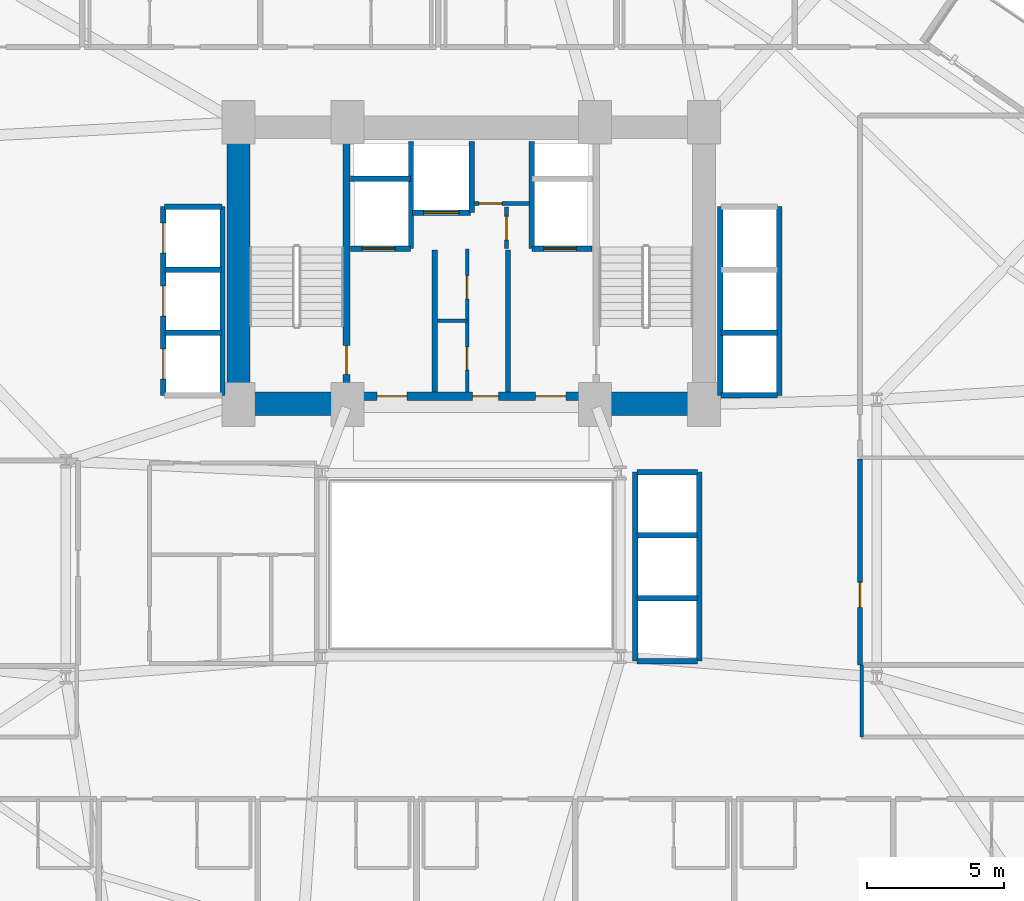
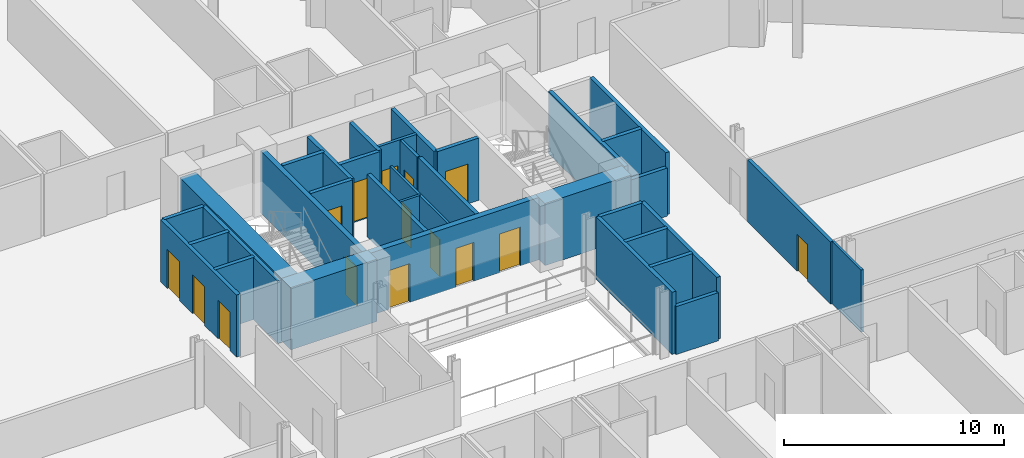
# One storey, part 19 of 25: 35 walls, 15 doors, 15 openings.
"""IFC4 building model written with IfcOpenShell, lengths in metres."""

from ifc_helpers import new_model, si_unit, direction, frame, frame_2d, origin, place, context, subcontext, project, spatial, rectangle, extrude, material, layer, layer_set, type_object, element, fill, save


model = new_model("IFC4")

# Units and contexts
model_context = context("Model", 3, precision=1e-05, world=origin(), true_north=direction((0.0, 1.0)))
body_context = subcontext(model_context, "Body", "Model", "MODEL_VIEW")
ifc_project = project(units=[si_unit("LENGTHUNIT", "METRE"), si_unit("AREAUNIT", "SQUARE_METRE"), si_unit("VOLUMEUNIT", "CUBIC_METRE"), si_unit("PLANEANGLEUNIT", "RADIAN"), si_unit("MASSUNIT", "GRAM", prefix="KILO")], contexts=[model_context])

# Site, building, storey
site_placement = place(None, origin())
site = spatial("IfcSite", under=ifc_project, at=site_placement, CompositionType="ELEMENT")
building_placement = place(site_placement, origin())
building = spatial("IfcBuilding", under=site, at=building_placement, Name="Varnelok Gate Tower", CompositionType="ELEMENT")
storey_placement = place(building_placement, frame((0.0, 0.0, 64.0)))
storey = spatial("IfcBuildingStorey", under=building, at=storey_placement, Name="L15", CompositionType="ELEMENT", Elevation=64.0)

# Wall, opening, door
ifc_material_1 = material(Name="Gypsum Plasterboard Acoustic Partition", Category="gypsum")
ifc_layer_1 = layer(ifc_material_1, 0.179931640625)
ifc_layer_set_1 = layer_set([ifc_layer_1], Name="Gypsum Plasterboard Acoustic Partition")
wall_type_1 = type_object("IfcWallType", Name="PW-CORR-180", PredefinedType="PARTITIONING", material=ifc_layer_set_1)
wall_1_placement = place(storey_placement, frame((53.389892578125, 19.239990234375, 0.0), z_axis=(0.0, 0.0, 1.0), x_axis=(0.0, 1.0, 0.0)))
wall_1 = element("IfcWall", 1, at=wall_1_placement, inside=storey, type_object=wall_type_1, Name="Interior Partition", PredefinedType="PARTITIONING", context=body_context, shape_type="SweptSolid", body=[
    extrude(rectangle(XDim=7.52001953125, YDim=0.179931640625, at=frame_2d((3.760009765625, 0.0))), origin(), (0.0, 0.0, 1.0), 3.449951171875),
])
opening_1_placement = place(wall_1_placement, frame((2.10009765625, 0.0, 0.0)))
opening_1 = element("IfcOpeningElement", 2, at=opening_1_placement, cuts=wall_1, Name="Opening D-I3", PredefinedType="OPENING", context=body_context, shape_type="SweptSolid", body=[
    extrude(rectangle(XDim=0.919921875, YDim=2.050048828125, at=frame_2d((0.4599609375, 1.02490234375))), frame((0.0, 0.099853515625, 0.0), z_axis=(0.0, -1.0, 0.0), x_axis=(1.0, 0.0, 0.0)), (0.0, 0.0, 1.0), 0.199951171875),
])
ifc_material_2 = material(Name="Engineered Hardwood Timber", Category="wood")
door_type_1 = type_object("IfcDoorType", Name="DR-INT-920", OperationType="NOTDEFINED", PredefinedType="DOOR", material=ifc_material_2)
door_1_placement = place(opening_1_placement, origin())
door_1 = element("IfcDoor", 3, at=door_1_placement, inside=storey, type_object=door_type_1, Name="L15 East Studio Door", OperationType="SINGLE_SWING_RIGHT", OverallHeight=2.050048828125, OverallWidth=0.919921875, PredefinedType="DOOR", context=body_context, shape_type="SweptSolid", body=[
    extrude(rectangle(XDim=0.919921875, YDim=2.050048828125, at=frame_2d((0.4599609375, 1.02490234375))), frame((0.0, 0.02490234375, 0.0), z_axis=(0.0, -1.0, 0.0), x_axis=(1.0, 0.0, 0.0)), (0.0, 0.0, 1.0), 0.050048828125),
])
fill(opening_1, door_1)

# Walls
ifc_layer_2 = layer(ifc_material_1, 0.125)
ifc_layer_set_2 = layer_set([ifc_layer_2], Name="Gypsum Plasterboard Acoustic Partition")
wall_type_2 = type_object("IfcWallType", Name="PW-PART-125", PredefinedType="PARTITIONING", material=ifc_layer_set_2)
wall_2_placement = place(storey_placement, frame((53.449951171875, 16.610107421875, 0.0), z_axis=(0.0, 0.0, 1.0), x_axis=(0.0, 1.0, 0.0)))
element("IfcWall", 4, at=wall_2_placement, inside=storey, type_object=wall_type_2, Name="Interior Partition", PredefinedType="PARTITIONING", context=body_context, shape_type="SweptSolid", body=[
    extrude(rectangle(XDim=2.6298828125, YDim=0.125, at=frame_2d((1.31494140625, 0.0))), origin(), (0.0, 0.0, 1.0), 3.449951171875),
])
wall_3_placement = place(storey_placement, frame((37.9599609375, 31.800048828125, 0.0), z_axis=(0.0, 0.0, 1.0), x_axis=(1.0, 0.0, 0.0)))
element("IfcWall", 5, at=wall_3_placement, inside=storey, type_object=wall_type_2, Name="Interior Partition", PredefinedType="PARTITIONING", context=body_context, shape_type="SweptSolid", body=[
    extrude(rectangle(XDim=1.090087890625, YDim=0.125, at=frame_2d((0.544921875, 0.0))), origin(), (0.0, 0.0, 1.0), 3.449951171875),
])

# Wall, openings, doors
wall_4_placement = place(storey_placement, frame((39.050048828125, 29.199951171875, 0.0), z_axis=(0.0, 0.0, 1.0), x_axis=(0.0, 1.0, 0.0)))
wall_4 = element("IfcWall", 6, at=wall_4_placement, inside=storey, type_object=wall_type_2, Name="Interior Partition", PredefinedType="PARTITIONING", context=body_context, shape_type="SweptSolid", body=[
    extrude(rectangle(XDim=5.219970703125, YDim=0.125, at=frame_2d((2.60986328125, 0.0))), origin(), (0.0, 0.0, 1.0), 3.449951171875),
])
opening_2_placement = place(wall_4_placement, frame((0.800048828125, 0.0, 0.0)))
opening_2 = element("IfcOpeningElement", 7, at=opening_2_placement, cuts=wall_4, Name="Opening D-RS", PredefinedType="OPENING", context=body_context, shape_type="SweptSolid", body=[
    extrude(rectangle(XDim=0.85009765625, YDim=2.050048828125, at=frame_2d((0.425048828125, 1.02490234375))), frame((0.0, 0.072509765625, 0.0), z_axis=(0.0, -1.0, 0.0), x_axis=(1.0, 0.0, 0.0)), (0.0, 0.0, 1.0), 0.14501953125),
])
opening_3_placement = place(wall_4_placement, frame((3.39990234375, 0.0, 0.0)))
opening_3 = element("IfcOpeningElement", 8, at=opening_3_placement, cuts=wall_4, Name="Opening D-RS", PredefinedType="OPENING", context=body_context, shape_type="SweptSolid", body=[
    extrude(rectangle(XDim=0.85009765625, YDim=2.050048828125, at=frame_2d((0.425048828125, 1.02490234375))), frame((0.0, 0.072509765625, 0.0), z_axis=(0.0, -1.0, 0.0), x_axis=(1.0, 0.0, 0.0)), (0.0, 0.0, 1.0), 0.14501953125),
])
ifc_material_3 = material(Name="Galvanized Steel Grade S350GD", Category="steel")
door_type_2 = type_object("IfcDoorType", Name="DR-RISER-850", OperationType="NOTDEFINED", PredefinedType="DOOR", material=ifc_material_3)
door_2_placement = place(opening_2_placement, origin())
door_2 = element("IfcDoor", 9, at=door_2_placement, inside=storey, type_object=door_type_2, Name="L15 Housekeeping Linen Door", OperationType="SINGLE_SWING_LEFT", OverallHeight=2.050048828125, OverallWidth=0.85009765625, PredefinedType="DOOR", context=body_context, shape_type="SweptSolid", body=[
    extrude(rectangle(XDim=0.85009765625, YDim=2.050048828125, at=frame_2d((0.425048828125, 1.02490234375))), frame((0.0, 0.02490234375, 0.0), z_axis=(0.0, -1.0, 0.0), x_axis=(1.0, 0.0, 0.0)), (0.0, 0.0, 1.0), 0.050048828125),
])
fill(opening_2, door_2)
door_3_placement = place(opening_3_placement, origin())
door_3 = element("IfcDoor", 10, at=door_3_placement, inside=storey, type_object=door_type_2, Name="L15 Janitor Sink Door", OperationType="SINGLE_SWING_RIGHT", OverallHeight=2.050048828125, OverallWidth=0.85009765625, PredefinedType="DOOR", context=body_context, shape_type="SweptSolid", body=[
    extrude(rectangle(XDim=0.85009765625, YDim=2.050048828125, at=frame_2d((0.425048828125, 1.02490234375))), frame((0.0, 0.02490234375, 0.0), z_axis=(0.0, -1.0, 0.0), x_axis=(1.0, 0.0, 0.0)), (0.0, 0.0, 1.0), 0.050048828125),
])
fill(opening_3, door_3)

# Wall, opening, door
ifc_layer_3 = layer(ifc_material_1, 0.14990234375)
ifc_layer_set_3 = layer_set([ifc_layer_3], Name="Gypsum Plasterboard Acoustic Partition")
wall_type_3 = type_object("IfcWallType", Name="PW-PART-150", PredefinedType="PARTITIONING", material=ifc_layer_set_3)
wall_5_placement = place(storey_placement, frame((39.300048828125, 36.080078125, 0.0), z_axis=(0.0, 0.0, 1.0), x_axis=(1.0, 0.0, 0.0)))
wall_5 = element("IfcWall", 11, at=wall_5_placement, inside=storey, type_object=wall_type_3, Name="L15 Electrical Closet South Wall", PredefinedType="PARTITIONING", context=body_context, shape_type="SweptSolid", body=[
    extrude(rectangle(XDim=2.02001953125, YDim=0.14990234375, at=frame_2d((1.010009765625, 0.0))), origin(), (0.0, 0.0, 1.0), 3.449951171875),
])
opening_4_placement = place(wall_5_placement, frame((0.179931640625, 0.0, 0.0)))
opening_4 = element("IfcOpeningElement", 12, at=opening_4_placement, cuts=wall_5, Name="Opening D-RS", PredefinedType="OPENING", context=body_context, shape_type="SweptSolid", body=[
    extrude(rectangle(XDim=0.85009765625, YDim=2.050048828125, at=frame_2d((0.425048828125, 1.02490234375))), frame((0.0, 0.0849609375, 0.0), z_axis=(0.0, -1.0, 0.0), x_axis=(1.0, 0.0, 0.0)), (0.0, 0.0, 1.0), 0.169921875),
])
door_4_placement = place(opening_4_placement, origin())
door_4 = element("IfcDoor", 13, at=door_4_placement, inside=storey, type_object=door_type_2, Name="L15 Electrical Closet Door", OperationType="SINGLE_SWING_RIGHT", OverallHeight=2.050048828125, OverallWidth=0.85009765625, PredefinedType="DOOR", context=body_context, shape_type="SweptSolid", body=[
    extrude(rectangle(XDim=0.85009765625, YDim=2.050048828125, at=frame_2d((0.425048828125, 1.02490234375))), frame((0.0, 0.02490234375, 0.0), z_axis=(0.0, -1.0, 0.0), x_axis=(1.0, 0.0, 0.0)), (0.0, 0.0, 1.0), 0.050048828125),
])
fill(opening_4, door_4)

wall_6_placement = place(storey_placement, frame((40.47998046875, 34.43994140625, 0.0), z_axis=(0.0, 0.0, 1.0), x_axis=(0.0, 1.0, 0.0)))
wall_6 = element("IfcWall", 14, at=wall_6_placement, inside=storey, type_object=wall_type_3, Name="L15 Telecoms Closet West Wall", PredefinedType="PARTITIONING", context=body_context, shape_type="SweptSolid", body=[
    extrude(rectangle(XDim=1.52001953125, YDim=0.14990234375, at=frame_2d((0.760009765625, 0.0))), origin(), (0.0, 0.0, 1.0), 3.449951171875),
])
opening_5_placement = place(wall_6_placement, frame((0.320068359375, 0.0, 0.0)))
opening_5 = element("IfcOpeningElement", 15, at=opening_5_placement, cuts=wall_6, Name="Opening D-RS", PredefinedType="OPENING", context=body_context, shape_type="SweptSolid", body=[
    extrude(rectangle(XDim=0.85009765625, YDim=2.050048828125, at=frame_2d((0.425048828125, 1.02490234375))), frame((0.0, 0.0849609375, 0.0), z_axis=(0.0, -1.0, 0.0), x_axis=(1.0, 0.0, 0.0)), (0.0, 0.0, 1.0), 0.169921875),
])
door_5_placement = place(opening_5_placement, origin())
door_5 = element("IfcDoor", 16, at=door_5_placement, inside=storey, type_object=door_type_2, Name="L15 Telecoms Closet Door", OperationType="SINGLE_SWING_LEFT", OverallHeight=2.050048828125, OverallWidth=0.85009765625, PredefinedType="DOOR", context=body_context, shape_type="SweptSolid", body=[
    extrude(rectangle(XDim=0.85009765625, YDim=2.050048828125, at=frame_2d((0.425048828125, 1.02490234375))), frame((0.0, 0.02490234375, 0.0), z_axis=(0.0, -1.0, 0.0), x_axis=(1.0, 0.0, 0.0)), (0.0, 0.0, 1.0), 0.050048828125),
])
fill(opening_5, door_5)

# Walls
ifc_material_4 = material(Name="Concrete C35/45", Category="concrete")
ifc_layer_4 = layer(ifc_material_4, 0.199951171875)
ifc_layer_set_4 = layer_set([ifc_layer_4], Name="Concrete C35/45")
wall_type_4 = type_object("IfcWallType", Name="PW-SHAFT-200", PredefinedType="PARTITIONING", material=ifc_layer_set_4)
for number, where, z_axis, x_axis, name in (
    (17, (37.860107421875, 29.199951171875, 0.0), (0.0, 0.0, 1.0), (0.0, 1.0, 0.0), "L15 West FF Lobby Rated Wall"),
    (18, (40.5400390625, 29.199951171875, 0.0), (0.0, 0.0, 1.0), (0.0, 1.0, 0.0), "L15 East FF Lobby Rated Wall"),
):
    element("IfcWall", number, at=place(storey_placement, frame(where, z_axis=z_axis, x_axis=x_axis)), inside=storey, type_object=wall_type_4, Name=name, PredefinedType="PARTITIONING", context=body_context, shape_type="SweptSolid", body=[
        extrude(rectangle(XDim=5.179931640625, YDim=0.199951171875, at=frame_2d((2.58984375, 0.0))), origin(), (0.0, 0.0, 1.0), 3.449951171875),
    ])

# Wall, opening, door
wall_7_placement = place(storey_placement, frame((34.800048828125, 34.43994140625, 0.0), z_axis=(0.0, 0.0, 1.0), x_axis=(1.0, 0.0, 0.0)))
wall_7 = element("IfcWall", 19, at=wall_7_placement, inside=storey, type_object=wall_type_4, Name="L15 FF1 Shaft Front Wall", PredefinedType="PARTITIONING", context=body_context, shape_type="SweptSolid", body=[
    extrude(rectangle(XDim=2.179931640625, YDim=0.199951171875, at=frame_2d((1.08984375, 0.0))), origin(), (0.0, 0.0, 1.0), 3.449951171875),
])
opening_6_placement = place(wall_7_placement, frame((0.419921875, 0.0, 0.0)))
opening_6 = element("IfcOpeningElement", 20, at=opening_6_placement, cuts=wall_7, Name="Opening LD-FF1", PredefinedType="OPENING", context=body_context, shape_type="SweptSolid", body=[
    extrude(rectangle(XDim=1.199951171875, YDim=2.199951171875, at=frame_2d((0.60009765625, 1.10009765625))), frame((0.0, 0.10986328125, 0.0), z_axis=(0.0, -1.0, 0.0), x_axis=(1.0, 0.0, 0.0)), (0.0, 0.0, 1.0), 0.219970703125),
])
door_type_3 = type_object("IfcDoorType", Name="DR-LIFT-FF1200", OperationType="SLIDING_TO_LEFT", PredefinedType="DOOR", material=ifc_material_3)
door_6_placement = place(opening_6_placement, origin())
door_6 = element("IfcDoor", 21, at=door_6_placement, inside=storey, type_object=door_type_3, Name="L15 Firefighting Lift Landing Door LD-FF1", OperationType="SLIDING_TO_LEFT", OverallHeight=2.199951171875, OverallWidth=1.199951171875, PredefinedType="DOOR", context=body_context, shape_type="SweptSolid", body=[
    extrude(rectangle(XDim=1.199951171875, YDim=2.199951171875, at=frame_2d((0.60009765625, 1.10009765625))), frame((0.0, 0.02490234375, 0.0), z_axis=(0.0, -1.0, 0.0), x_axis=(1.0, 0.0, 0.0)), (0.0, 0.0, 1.0), 0.050048828125),
])
fill(opening_6, door_6)

# Walls
wall_8_placement = place(storey_placement, frame((34.800048828125, 36.97998046875, 0.0), z_axis=(0.0, 0.0, 1.0), x_axis=(1.0, 0.0, 0.0)))
element("IfcWall", 22, at=wall_8_placement, inside=storey, type_object=wall_type_4, Name="L15 FF1 Shaft North Wall", PredefinedType="PARTITIONING", context=body_context, shape_type="SweptSolid", body=[
    extrude(rectangle(XDim=2.179931640625, YDim=0.199951171875, at=frame_2d((1.08984375, 0.0))), origin(), (0.0, 0.0, 1.0), 3.449951171875),
])
wall_9_placement = place(storey_placement, frame((37.0, 34.43994140625, 0.0), z_axis=(0.0, 0.0, 1.0), x_axis=(0.0, 1.0, 0.0)))
element("IfcWall", 23, at=wall_9_placement, inside=storey, type_object=wall_type_4, Name="L15 FF1 Shaft Side Wall", PredefinedType="PARTITIONING", context=body_context, shape_type="SweptSolid", body=[
    extrude(rectangle(XDim=3.900146484375, YDim=0.199951171875, at=frame_2d((1.9501953125, 0.0))), origin(), (0.0, 0.0, 1.0), 3.449951171875),
])

# Wall, opening, door
wall_10_placement = place(storey_placement, frame((41.419921875, 34.43994140625, 0.0), z_axis=(0.0, 0.0, 1.0), x_axis=(1.0, 0.0, 0.0)))
wall_10 = element("IfcWall", 24, at=wall_10_placement, inside=storey, type_object=wall_type_4, Name="L15 FF2 Shaft Front Wall", PredefinedType="PARTITIONING", context=body_context, shape_type="SweptSolid", body=[
    extrude(rectangle(XDim=2.18017578125, YDim=0.199951171875, at=frame_2d((1.090087890625, 0.0))), origin(), (0.0, 0.0, 1.0), 3.449951171875),
])
opening_7_placement = place(wall_10_placement, frame((0.419921875, 0.0, 0.0)))
opening_7 = element("IfcOpeningElement", 25, at=opening_7_placement, cuts=wall_10, Name="Opening LD-FF2", PredefinedType="OPENING", context=body_context, shape_type="SweptSolid", body=[
    extrude(rectangle(XDim=1.199951171875, YDim=2.199951171875, at=frame_2d((0.60009765625, 1.10009765625))), frame((0.0, 0.10986328125, 0.0), z_axis=(0.0, -1.0, 0.0), x_axis=(1.0, 0.0, 0.0)), (0.0, 0.0, 1.0), 0.219970703125),
])
door_7_placement = place(opening_7_placement, origin())
door_7 = element("IfcDoor", 26, at=door_7_placement, inside=storey, type_object=door_type_3, Name="L15 Firefighting Lift Landing Door LD-FF2", OperationType="SLIDING_TO_LEFT", OverallHeight=2.199951171875, OverallWidth=1.199951171875, PredefinedType="DOOR", context=body_context, shape_type="SweptSolid", body=[
    extrude(rectangle(XDim=1.199951171875, YDim=2.199951171875, at=frame_2d((0.60009765625, 1.10009765625))), frame((0.0, 0.02490234375, 0.0), z_axis=(0.0, -1.0, 0.0), x_axis=(1.0, 0.0, 0.0)), (0.0, 0.0, 1.0), 0.050048828125),
])
fill(opening_7, door_7)

# Wall
wall_11_placement = place(storey_placement, frame((41.39990234375, 34.43994140625, 0.0), z_axis=(0.0, 0.0, 1.0), x_axis=(0.0, 1.0, 0.0)))
element("IfcWall", 27, at=wall_11_placement, inside=storey, type_object=wall_type_4, Name="L15 FF2 Shaft Side Wall", PredefinedType="PARTITIONING", context=body_context, shape_type="SweptSolid", body=[
    extrude(rectangle(XDim=3.900146484375, YDim=0.199951171875, at=frame_2d((1.9501953125, 0.0))), origin(), (0.0, 0.0, 1.0), 3.449951171875),
])

# Wall, opening, door
wall_12_placement = place(storey_placement, frame((37.06005859375, 35.75, 0.0), z_axis=(0.0, 0.0, 1.0), x_axis=(1.0, 0.0, 0.0)))
wall_12 = element("IfcWall", 28, at=wall_12_placement, inside=storey, type_object=wall_type_4, Name="L15 SV1 Shaft Front Wall", PredefinedType="PARTITIONING", context=body_context, shape_type="SweptSolid", body=[
    extrude(rectangle(XDim=2.119873046875, YDim=0.199951171875, at=frame_2d((1.06005859375, 0.0))), origin(), (0.0, 0.0, 1.0), 3.449951171875),
])
opening_8_placement = place(wall_12_placement, frame((0.39990234375, 0.0, 0.0)))
opening_8 = element("IfcOpeningElement", 29, at=opening_8_placement, cuts=wall_12, Name="Opening LD-SV1", PredefinedType="OPENING", context=body_context, shape_type="SweptSolid", body=[
    extrude(rectangle(XDim=1.300048828125, YDim=2.199951171875, at=frame_2d((0.64990234375, 1.10009765625))), frame((0.0, 0.10986328125, 0.0), z_axis=(0.0, -1.0, 0.0), x_axis=(1.0, 0.0, 0.0)), (0.0, 0.0, 1.0), 0.219970703125),
])
door_type_4 = type_object("IfcDoorType", Name="DR-LIFT-SV1300", OperationType="SLIDING_TO_LEFT", PredefinedType="DOOR", material=ifc_material_3)
door_8_placement = place(opening_8_placement, origin())
door_8 = element("IfcDoor", 30, at=door_8_placement, inside=storey, type_object=door_type_4, Name="L15 Service Lift Landing Door LD-SV1", OperationType="SLIDING_TO_LEFT", OverallHeight=2.199951171875, OverallWidth=1.300048828125, PredefinedType="DOOR", context=body_context, shape_type="SweptSolid", body=[
    extrude(rectangle(XDim=1.300048828125, YDim=2.199951171875, at=frame_2d((0.64990234375, 1.10009765625))), frame((0.0, 0.02490234375, 0.0), z_axis=(0.0, -1.0, 0.0), x_axis=(1.0, 0.0, 0.0)), (0.0, 0.0, 1.0), 0.050048828125),
])
fill(opening_8, door_8)

# Walls
wall_13_placement = place(storey_placement, frame((39.219970703125, 35.75, 0.0), z_axis=(0.0, 0.0, 1.0), x_axis=(0.0, 1.0, 0.0)))
element("IfcWall", 31, at=wall_13_placement, inside=storey, type_object=wall_type_4, Name="L15 SV1 Shaft East Wall", PredefinedType="PARTITIONING", context=body_context, shape_type="SweptSolid", body=[
    extrude(rectangle(XDim=2.590087890625, YDim=0.199951171875, at=frame_2d((1.294921875, 0.0))), origin(), (0.0, 0.0, 1.0), 3.449951171875),
])
for number, where, z_axis, x_axis, name in (
    (32, (28.02001953125, 31.375, 0.0), (0.0, 0.0, 1.0), (1.0, 0.0, 0.0), "L15 PL1 Divider"),
    (33, (28.02001953125, 33.675048828125, 0.0), (0.0, 0.0, 1.0), (1.0, 0.0, 0.0), "L15 PL2 Divider"),
):
    element("IfcWall", number, at=place(storey_placement, frame(where, z_axis=z_axis, x_axis=x_axis)), inside=storey, type_object=wall_type_4, Name=name, PredefinedType="PARTITIONING", context=body_context, shape_type="SweptSolid", body=[
        extrude(rectangle(XDim=2.06005859375, YDim=0.199951171875, at=frame_2d((1.030029296875, 0.0))), origin(), (0.0, 0.0, 1.0), 3.449951171875),
    ])
wall_14_placement = place(storey_placement, frame((28.0, 35.969970703125, 0.0), z_axis=(0.0, 0.0, 1.0), x_axis=(1.0, 0.0, 0.0)))
element("IfcWall", 34, at=wall_14_placement, inside=storey, type_object=wall_type_4, Name="L15 PL Bank North Wall", PredefinedType="PARTITIONING", context=body_context, shape_type="SweptSolid", body=[
    extrude(rectangle(XDim=2.10009765625, YDim=0.199951171875, at=frame_2d((1.050048828125, 0.0))), origin(), (0.0, 0.0, 1.0), 3.449951171875),
])
wall_15_placement = place(storey_placement, frame((30.1201171875, 29.080078125, 0.0), z_axis=(0.0, 0.0, 1.0), x_axis=(0.0, 1.0, 0.0)))
element("IfcWall", 35, at=wall_15_placement, inside=storey, type_object=wall_type_4, Name="L15 PL Bank Back Wall", PredefinedType="PARTITIONING", context=body_context, shape_type="SweptSolid", body=[
    extrude(rectangle(XDim=6.889892578125, YDim=0.199951171875, at=frame_2d((3.44482421875, 0.0))), origin(), (0.0, 0.0, 1.0), 3.449951171875),
])

# Wall, openings, doors
wall_16_placement = place(storey_placement, frame((27.9599609375, 29.080078125, 0.0), z_axis=(0.0, 0.0, 1.0), x_axis=(0.0, 1.0, 0.0)))
wall_16 = element("IfcWall", 36, at=wall_16_placement, inside=storey, type_object=wall_type_4, Name="L15 PL Bank Front Wall", PredefinedType="PARTITIONING", context=body_context, shape_type="SweptSolid", body=[
    extrude(rectangle(XDim=6.889892578125, YDim=0.199951171875, at=frame_2d((3.44482421875, 0.0))), origin(), (0.0, 0.0, 1.0), 3.449951171875),
])
opening_9_placement = place(wall_16_placement, frame((0.590087890625, 0.0, 0.0)))
opening_9 = element("IfcOpeningElement", 37, at=opening_9_placement, cuts=wall_16, Name="Opening LD-PL1", PredefinedType="OPENING", context=body_context, shape_type="SweptSolid", body=[
    extrude(rectangle(XDim=1.10009765625, YDim=2.14990234375, at=frame_2d((0.550048828125, 1.074951171875))), frame((0.0, 0.10986328125, 0.0), z_axis=(0.0, -1.0, 0.0), x_axis=(1.0, 0.0, 0.0)), (0.0, 0.0, 1.0), 0.219970703125),
])
opening_10_placement = place(wall_16_placement, frame((2.889892578125, 0.0, 0.0)))
opening_10 = element("IfcOpeningElement", 38, at=opening_10_placement, cuts=wall_16, Name="Opening LD-PL2", PredefinedType="OPENING", context=body_context, shape_type="SweptSolid", body=[
    extrude(rectangle(XDim=1.10009765625, YDim=2.14990234375, at=frame_2d((0.550048828125, 1.074951171875))), frame((0.0, 0.10986328125, 0.0), z_axis=(0.0, -1.0, 0.0), x_axis=(1.0, 0.0, 0.0)), (0.0, 0.0, 1.0), 0.219970703125),
])
opening_11_placement = place(wall_16_placement, frame((5.18994140625, 0.0, 0.0)))
opening_11 = element("IfcOpeningElement", 39, at=opening_11_placement, cuts=wall_16, Name="Opening LD-PL3", PredefinedType="OPENING", context=body_context, shape_type="SweptSolid", body=[
    extrude(rectangle(XDim=1.10009765625, YDim=2.14990234375, at=frame_2d((0.550048828125, 1.074951171875))), frame((0.0, 0.10986328125, 0.0), z_axis=(0.0, -1.0, 0.0), x_axis=(1.0, 0.0, 0.0)), (0.0, 0.0, 1.0), 0.219970703125),
])
door_type_5 = type_object("IfcDoorType", Name="DR-LIFT-PAX1100", OperationType="SLIDING_TO_LEFT", PredefinedType="DOOR", material=ifc_material_3)
door_9_placement = place(opening_9_placement, origin())
door_9 = element("IfcDoor", 40, at=door_9_placement, inside=storey, type_object=door_type_5, Name="L15 Passenger Lift Landing Door LD-PL1", OperationType="SLIDING_TO_LEFT", OverallHeight=2.14990234375, OverallWidth=1.10009765625, PredefinedType="DOOR", context=body_context, shape_type="SweptSolid", body=[
    extrude(rectangle(XDim=1.10009765625, YDim=2.14990234375, at=frame_2d((0.550048828125, 1.074951171875))), frame((0.0, 0.02490234375, 0.0), z_axis=(0.0, -1.0, 0.0), x_axis=(1.0, 0.0, 0.0)), (0.0, 0.0, 1.0), 0.050048828125),
])
fill(opening_9, door_9)
door_10_placement = place(opening_10_placement, origin())
door_10 = element("IfcDoor", 41, at=door_10_placement, inside=storey, type_object=door_type_5, Name="L15 Passenger Lift Landing Door LD-PL2", OperationType="SLIDING_TO_LEFT", OverallHeight=2.14990234375, OverallWidth=1.10009765625, PredefinedType="DOOR", context=body_context, shape_type="SweptSolid", body=[
    extrude(rectangle(XDim=1.10009765625, YDim=2.14990234375, at=frame_2d((0.550048828125, 1.074951171875))), frame((0.0, 0.02490234375, 0.0), z_axis=(0.0, -1.0, 0.0), x_axis=(1.0, 0.0, 0.0)), (0.0, 0.0, 1.0), 0.050048828125),
])
fill(opening_10, door_10)
door_11_placement = place(opening_11_placement, origin())
door_11 = element("IfcDoor", 42, at=door_11_placement, inside=storey, type_object=door_type_5, Name="L15 Passenger Lift Landing Door LD-PL3", OperationType="SLIDING_TO_LEFT", OverallHeight=2.14990234375, OverallWidth=1.10009765625, PredefinedType="DOOR", context=body_context, shape_type="SweptSolid", body=[
    extrude(rectangle(XDim=1.10009765625, YDim=2.14990234375, at=frame_2d((0.550048828125, 1.074951171875))), frame((0.0, 0.02490234375, 0.0), z_axis=(0.0, -1.0, 0.0), x_axis=(1.0, 0.0, 0.0)), (0.0, 0.0, 1.0), 0.050048828125),
])
fill(opening_11, door_11)

# Walls
wall_17_placement = place(storey_placement, frame((48.320068359375, 31.375, 0.0), z_axis=(0.0, 0.0, 1.0), x_axis=(1.0, 0.0, 0.0)))
element("IfcWall", 43, at=wall_17_placement, inside=storey, type_object=wall_type_4, Name="L15 PM1 Divider", PredefinedType="PARTITIONING", context=body_context, shape_type="SweptSolid", body=[
    extrude(rectangle(XDim=2.059814453125, YDim=0.199951171875, at=frame_2d((1.02978515625, 0.0))), origin(), (0.0, 0.0, 1.0), 3.449951171875),
])
wall_18_placement = place(storey_placement, frame((48.320068359375, 29.080078125, 0.0), z_axis=(0.0, 0.0, 1.0), x_axis=(1.0, 0.0, 0.0)))
element("IfcWall", 44, at=wall_18_placement, inside=storey, type_object=wall_type_4, Name="L15 PM Bank South Wall", PredefinedType="PARTITIONING", context=body_context, shape_type="SweptSolid", body=[
    extrude(rectangle(XDim=2.059814453125, YDim=0.199951171875, at=frame_2d((1.02978515625, 0.0))), origin(), (0.0, 0.0, 1.0), 2.662109375),
])
for number, where, z_axis, x_axis, name in (
    (45, (48.280029296875, 29.080078125, 0.0), (0.0, 0.0, 1.0), (0.0, 1.0, 0.0), "L15 PM Bank Back Wall"),
    (46, (50.43994140625, 29.080078125, 0.0), (0.0, 0.0, 1.0), (0.0, 1.0, 0.0), "L15 PM Bank Front Wall"),
):
    element("IfcWall", number, at=place(storey_placement, frame(where, z_axis=z_axis, x_axis=x_axis)), inside=storey, type_object=wall_type_4, Name=name, PredefinedType="PARTITIONING", context=body_context, shape_type="SweptSolid", body=[
        extrude(rectangle(XDim=6.889892578125, YDim=0.199951171875, at=frame_2d((3.44482421875, 0.0))), origin(), (0.0, 0.0, 1.0), 3.449951171875),
    ])
for number, where, z_axis, x_axis, name in (
    (47, (45.239990234375, 21.675048828125, 0.0), (0.0, 0.0, 1.0), (1.0, 0.0, 0.0), "L15 PH1 Divider"),
    (48, (45.239990234375, 23.97509765625, 0.0), (0.0, 0.0, 1.0), (1.0, 0.0, 0.0), "L15 PH2 Divider"),
):
    element("IfcWall", number, at=place(storey_placement, frame(where, z_axis=z_axis, x_axis=x_axis)), inside=storey, type_object=wall_type_4, Name=name, PredefinedType="PARTITIONING", context=body_context, shape_type="SweptSolid", body=[
        extrude(rectangle(XDim=2.219970703125, YDim=0.199951171875, at=frame_2d((1.10986328125, 0.0))), origin(), (0.0, 0.0, 1.0), 3.449951171875),
    ])
wall_19_placement = place(storey_placement, frame((45.239990234375, 19.3798828125, 0.0), z_axis=(0.0, 0.0, 1.0), x_axis=(1.0, 0.0, 0.0)))
element("IfcWall", 49, at=wall_19_placement, inside=storey, type_object=wall_type_4, Name="L15 PH Bank South Wall", PredefinedType="PARTITIONING", context=body_context, shape_type="SweptSolid", body=[
    extrude(rectangle(XDim=2.219970703125, YDim=0.199951171875, at=frame_2d((1.10986328125, 0.0))), origin(), (0.0, 0.0, 1.0), 2.662109375),
])
wall_20_placement = place(storey_placement, frame((45.239990234375, 26.280029296875, 0.0), z_axis=(0.0, 0.0, 1.0), x_axis=(1.0, 0.0, 0.0)))
element("IfcWall", 50, at=wall_20_placement, inside=storey, type_object=wall_type_4, Name="L15 PH Bank North Wall", PredefinedType="PARTITIONING", context=body_context, shape_type="SweptSolid", body=[
    extrude(rectangle(XDim=2.219970703125, YDim=0.199951171875, at=frame_2d((1.10986328125, 0.0))), origin(), (0.0, 0.0, 1.0), 3.449951171875),
])
for number, where, z_axis, x_axis, name in (
    (51, (45.179931640625, 19.3798828125, 0.0), (0.0, 0.0, 1.0), (0.0, 1.0, 0.0), "L15 PH Bank Atrium Wall"),
    (52, (47.52001953125, 19.3798828125, 0.0), (0.0, 0.0, 1.0), (0.0, 1.0, 0.0), "L15 PH Bank Front Wall"),
):
    element("IfcWall", number, at=place(storey_placement, frame(where, z_axis=z_axis, x_axis=x_axis)), inside=storey, type_object=wall_type_4, Name=name, PredefinedType="PARTITIONING", context=body_context, shape_type="SweptSolid", body=[
        extrude(rectangle(XDim=6.900146484375, YDim=0.199951171875, at=frame_2d((3.4501953125, 0.0))), origin(), (0.0, 0.0, 1.0), 3.449951171875),
    ])
ifc_material_5 = material(Name="Concrete C70/85", Category="concrete")
ifc_layer_5 = layer(ifc_material_5, 0.85009765625)
ifc_layer_set_5 = layer_set([ifc_layer_5], Name="Concrete C70/85")
wall_type_5 = type_object("IfcWallType", Name="SW-CORE-850", PredefinedType="SHEAR", material=ifc_layer_set_5)
wall_21_placement = place(storey_placement, frame((30.705078125, 29.199951171875, 0.0), z_axis=(0.0, 0.0, 1.0), x_axis=(0.0, 1.0, 0.0)))
element("IfcWall", 53, at=wall_21_placement, inside=storey, type_object=wall_type_5, Name="L15 Rear Core West Shear Wall", PredefinedType="SHEAR", context=body_context, shape_type="SweptSolid", body=[
    extrude(rectangle(XDim=9.219970703125, YDim=0.85009765625, at=frame_2d((4.60986328125, 0.0))), origin(), (0.0, 0.0, 1.0), 3.449951171875),
])
for number, where, z_axis, x_axis, name in (
    (54, (30.280029296875, 28.77490234375, 0.0), (0.0, 0.0, 1.0), (1.0, 0.0, 0.0), "L15 Rear Core South-West Shear Wall"),
    (55, (43.60009765625, 28.77490234375, 0.0), (0.0, 0.0, 1.0), (1.0, 0.0, 0.0), "L15 Rear Core South-East Shear Wall"),
):
    element("IfcWall", number, at=place(storey_placement, frame(where, z_axis=z_axis, x_axis=x_axis)), inside=storey, type_object=wall_type_5, Name=name, PredefinedType="SHEAR", context=body_context, shape_type="SweptSolid", body=[
        extrude(rectangle(XDim=4.52001953125, YDim=0.85009765625, at=frame_2d((2.260009765625, 0.0))), origin(), (0.0, 0.0, 1.0), 3.449951171875),
    ])

# Wall, opening, door
ifc_material_6 = material(Name="Concrete C60/75", Category="concrete")
ifc_layer_6 = layer(ifc_material_6, 0.25)
ifc_layer_set_6 = layer_set([ifc_layer_6], Name="Concrete C60/75")
wall_type_6 = type_object("IfcWallType", Name="SW-SHAFT-250", PredefinedType="SHEAR", material=ifc_layer_set_6)
wall_22_placement = place(storey_placement, frame((34.639892578125, 29.199951171875, 0.0), z_axis=(0.0, 0.0, 1.0), x_axis=(0.0, 1.0, 0.0)))
wall_22 = element("IfcWall", 56, at=wall_22_placement, inside=storey, type_object=wall_type_6, Name="L15 Stair ST-1 East Shear Wall", PredefinedType="SHEAR", context=body_context, shape_type="SweptSolid", body=[
    extrude(rectangle(XDim=9.219970703125, YDim=0.25, at=frame_2d((4.60986328125, 0.0))), origin(), (0.0, 0.0, 1.0), 3.449951171875),
])
opening_12_placement = place(wall_22_placement, frame((0.64990234375, 0.0, 0.0)))
opening_12 = element("IfcOpeningElement", 57, at=opening_12_placement, cuts=wall_22, Name="Opening D-ST", PredefinedType="OPENING", context=body_context, shape_type="SweptSolid", body=[
    extrude(rectangle(XDim=1.050048828125, YDim=2.14990234375, at=frame_2d((0.52490234375, 1.074951171875))), frame((0.0, 0.135009765625, 0.0), z_axis=(0.0, -1.0, 0.0), x_axis=(1.0, 0.0, 0.0)), (0.0, 0.0, 1.0), 0.27001953125),
])
door_type_6 = type_object("IfcDoorType", Name="DR-STAIR-1050", OperationType="NOTDEFINED", PredefinedType="DOOR", material=ifc_material_3)
door_12_placement = place(opening_12_placement, origin())
door_12 = element("IfcDoor", 58, at=door_12_placement, inside=storey, type_object=door_type_6, Name="L15 Exit Stair ST-1 Fire Door", OperationType="SINGLE_SWING_LEFT", OverallHeight=2.14990234375, OverallWidth=1.050048828125, PredefinedType="DOOR", context=body_context, shape_type="SweptSolid", body=[
    extrude(rectangle(XDim=1.050048828125, YDim=2.14990234375, at=frame_2d((0.52490234375, 1.074951171875))), frame((0.0, 0.02490234375, 0.0), z_axis=(0.0, -1.0, 0.0), x_axis=(1.0, 0.0, 0.0)), (0.0, 0.0, 1.0), 0.050048828125),
])
fill(opening_12, door_12)

# Wall, openings, doors
ifc_layer_7 = layer(ifc_material_6, 0.300048828125)
ifc_layer_set_7 = layer_set([ifc_layer_7], Name="Concrete C60/75")
wall_type_7 = type_object("IfcWallType", Name="SW-SHAFT-300", PredefinedType="SHEAR", material=ifc_layer_set_7)
wall_23_placement = place(storey_placement, frame((34.800048828125, 29.050048828125, 0.0), z_axis=(0.0, 0.0, 1.0), x_axis=(1.0, 0.0, 0.0)))
wall_23 = element("IfcWall", 59, at=wall_23_placement, inside=storey, type_object=wall_type_7, Name="L15 Rear Core Central Lobby Shear Wall", PredefinedType="SHEAR", context=body_context, shape_type="SweptSolid", body=[
    extrude(rectangle(XDim=8.800048828125, YDim=0.300048828125, at=frame_2d((4.39990234375, 0.0))), origin(), (0.0, 0.0, 1.0), 3.449951171875),
])
opening_13_placement = place(wall_23_placement, frame((0.949951171875, 0.0, 0.0)))
opening_13 = element("IfcOpeningElement", 60, at=opening_13_placement, cuts=wall_23, Name="Opening D-FF", PredefinedType="OPENING", context=body_context, shape_type="SweptSolid", body=[
    extrude(rectangle(XDim=1.10009765625, YDim=2.14990234375, at=frame_2d((0.550048828125, 1.074951171875))), frame((0.0, 0.159912109375, 0.0), z_axis=(0.0, -1.0, 0.0), x_axis=(1.0, 0.0, 0.0)), (0.0, 0.0, 1.0), 0.320068359375),
])
opening_14_placement = place(wall_23_placement, frame((6.75, 0.0, 0.0)))
opening_14 = element("IfcOpeningElement", 61, at=opening_14_placement, cuts=wall_23, Name="Opening D-FF", PredefinedType="OPENING", context=body_context, shape_type="SweptSolid", body=[
    extrude(rectangle(XDim=1.10009765625, YDim=2.14990234375, at=frame_2d((0.550048828125, 1.074951171875))), frame((0.0, 0.159912109375, 0.0), z_axis=(0.0, -1.0, 0.0), x_axis=(1.0, 0.0, 0.0)), (0.0, 0.0, 1.0), 0.320068359375),
])
opening_15_placement = place(wall_23_placement, frame((4.449951171875, 0.0, 0.0)))
opening_15 = element("IfcOpeningElement", 62, at=opening_15_placement, cuts=wall_23, Name="Opening D-CR", PredefinedType="OPENING", context=body_context, shape_type="SweptSolid", body=[
    extrude(rectangle(XDim=0.949951171875, YDim=2.14990234375, at=frame_2d((0.47509765625, 1.074951171875))), frame((0.0, 0.159912109375, 0.0), z_axis=(0.0, -1.0, 0.0), x_axis=(1.0, 0.0, 0.0)), (0.0, 0.0, 1.0), 0.320068359375),
])
door_type_7 = type_object("IfcDoorType", Name="DR-CORR-950", OperationType="NOTDEFINED", PredefinedType="DOOR", material=ifc_material_3)
door_13_placement = place(opening_15_placement, origin())
door_13 = element("IfcDoor", 63, at=door_13_placement, inside=storey, type_object=door_type_7, Name="L15 Core Service Passage Door", OperationType="SINGLE_SWING_LEFT", OverallHeight=2.14990234375, OverallWidth=0.949951171875, PredefinedType="DOOR", context=body_context, shape_type="SweptSolid", body=[
    extrude(rectangle(XDim=0.949951171875, YDim=2.14990234375, at=frame_2d((0.47509765625, 1.074951171875))), frame((0.0, 0.02490234375, 0.0), z_axis=(0.0, -1.0, 0.0), x_axis=(1.0, 0.0, 0.0)), (0.0, 0.0, 1.0), 0.050048828125),
])
fill(opening_15, door_13)
door_type_8 = type_object("IfcDoorType", Name="DR-FFLOB-1100", OperationType="NOTDEFINED", PredefinedType="DOOR", material=ifc_material_3)
door_14_placement = place(opening_13_placement, origin())
door_14 = element("IfcDoor", 64, at=door_14_placement, inside=storey, type_object=door_type_8, Name="L15 West Firefighting Lobby Fire Door", OperationType="SINGLE_SWING_RIGHT", OverallHeight=2.14990234375, OverallWidth=1.10009765625, PredefinedType="DOOR", context=body_context, shape_type="SweptSolid", body=[
    extrude(rectangle(XDim=1.10009765625, YDim=2.14990234375, at=frame_2d((0.550048828125, 1.074951171875))), frame((0.0, 0.02490234375, 0.0), z_axis=(0.0, -1.0, 0.0), x_axis=(1.0, 0.0, 0.0)), (0.0, 0.0, 1.0), 0.050048828125),
])
fill(opening_13, door_14)
door_15_placement = place(opening_14_placement, origin())
door_15 = element("IfcDoor", 65, at=door_15_placement, inside=storey, type_object=door_type_8, Name="L15 East Firefighting Lobby Fire Door", OperationType="SINGLE_SWING_LEFT", OverallHeight=2.14990234375, OverallWidth=1.10009765625, PredefinedType="DOOR", context=body_context, shape_type="SweptSolid", body=[
    extrude(rectangle(XDim=1.10009765625, YDim=2.14990234375, at=frame_2d((0.550048828125, 1.074951171875))), frame((0.0, 0.02490234375, 0.0), z_axis=(0.0, -1.0, 0.0), x_axis=(1.0, 0.0, 0.0)), (0.0, 0.0, 1.0), 0.050048828125),
])
fill(opening_14, door_15)

save(model, "model.ifc")
